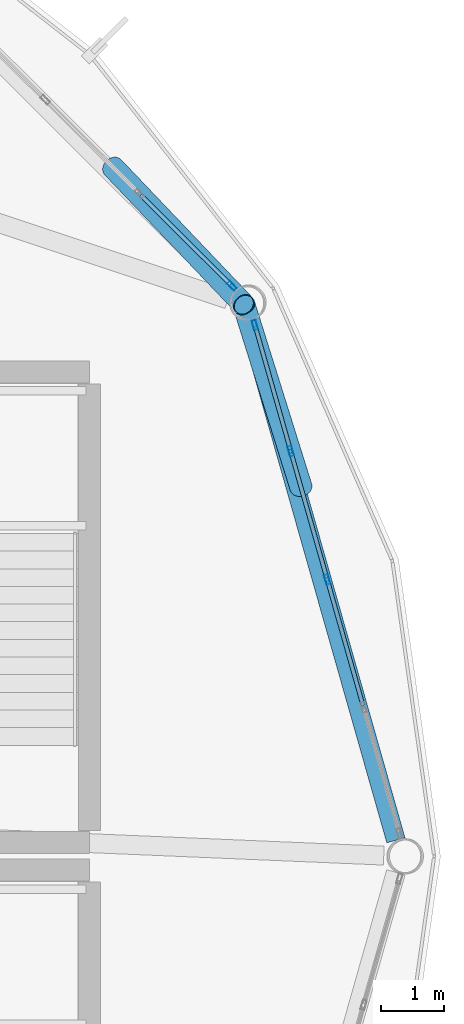
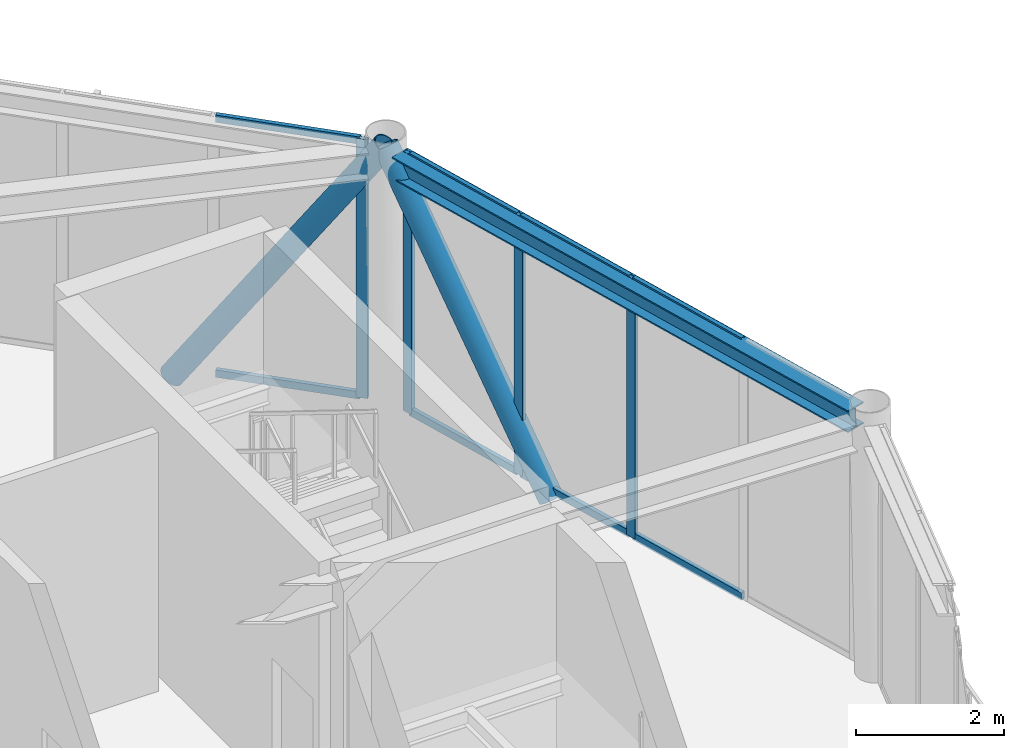
# One storey, part 16 of 26: 14 members, 1 beam, 2 elements without a shape of their own.
"""IFC4 building model written with IfcOpenShell, lengths in metres."""

from ifc_helpers import new_model, si_unit, direction, frame, origin, origin_2d, place, context, subcontext, project, spatial, hollow_rectangle, hollow_circle, i_section, extrude, material, layer, layer_set, material_profile, profile_set, type_object, element, aggregate, save


model = new_model("IFC4")

# Units and contexts
model_context = context("Model", 3, precision=1e-05, world=origin(), true_north=direction((0.0, 1.0)))
body_context = subcontext(model_context, "Body", "Model", "MODEL_VIEW")
ifc_project = project(units=[si_unit("LENGTHUNIT", "METRE"), si_unit("AREAUNIT", "SQUARE_METRE"), si_unit("VOLUMEUNIT", "CUBIC_METRE"), si_unit("PLANEANGLEUNIT", "RADIAN"), si_unit("MASSUNIT", "GRAM", prefix="KILO")], contexts=[model_context])

# Site, building, storey
site_placement = place(None, origin())
site = spatial("IfcSite", under=ifc_project, at=site_placement, CompositionType="ELEMENT")
building_placement = place(site_placement, origin())
building = spatial("IfcBuilding", under=site, at=building_placement, Name="Varnakorn Sky Granary", CompositionType="ELEMENT")
storey_placement = place(building_placement, frame((0.0, 0.0, 289.5)))
storey = spatial("IfcBuildingStorey", under=building, at=storey_placement, Name="L74", CompositionType="ELEMENT", Elevation=289.5)

# Beam
ifc_material_1 = material(Name="Steel S355JR", Category="steel")
ifc_material_profile_1 = material_profile(ifc_material_1, i_section(OverallWidth=0.300048828125, OverallDepth=0.360107421875, WebThickness=0.012451171875, FlangeThickness=0.0224609375, at=origin_2d()), Name="HE 360 B")
ifc_profile_set_1 = profile_set([ifc_material_profile_1], Name="Steel S355JR")
beam_type = type_object("IfcBeamType", Name="BM-SPD-Z5", PredefinedType="SPANDREL", material=ifc_profile_set_1)
beam_placement = place(storey_placement, frame((22.44189453125, 0.25439453125, 4.080078125), z_axis=(-0.273135599576, 0.961975542436, 0.0), x_axis=(-0.961975542436, -0.273135599576, 0.0)))
element("IfcBeam", 1, at=beam_placement, inside=storey, type_object=beam_type, Name="Perimeter Spandrel Ring Beam RB01 L74", PredefinedType="SPANDREL", context=body_context, shape_type="SweptSolid", body=[
    extrude(i_section(OverallWidth=0.300048828125, OverallDepth=0.360107421875, WebThickness=0.012451171875, FlangeThickness=0.0224609375, at=origin_2d()), origin(), (0.0, 0.0, 1.0), 8.56396484375),
])

# Curtain wall, members
ifc_material_2 = material(Name="Anodised Bronze Aluminium Alloy 6063-T6", Category="aluminium")
ifc_layer = layer(ifc_material_2, 0.159912109375, Name="Anodised Bronze Aluminium Alloy 6063-T6")
ifc_layer_set = layer_set([ifc_layer], Name="Anodised Bronze Aluminium Alloy 6063-T6")
curtain_wall_type = type_object("IfcCurtainWallType", Name="CW-OFF-1", PredefinedType="USERDEFINED", material=ifc_layer_set)
curtain_wall_1_placement = place(storey_placement, origin())
curtain_wall_1 = element("IfcCurtainWall", 2, at=curtain_wall_1_placement, inside=storey, type_object=curtain_wall_type, Name="Unitised Curtain Wall CW6 CW-L74-B01", ObjectType="CURTAIN WALL", PredefinedType="USERDEFINED")
ifc_material_profile_2 = material_profile(ifc_material_2, hollow_rectangle(XDim=0.06494140625, YDim=0.159912109375, WallThickness=0.00341796875, at=origin_2d()), Name="ALU MULL 65x160")
ifc_profile_set_2 = profile_set([ifc_material_profile_2], Name="Anodised Bronze Aluminium Alloy 6063-T6")
member_type_1 = type_object("IfcMemberType", Name="CW-OFF-1-MULL", PredefinedType="MULLION", material=ifc_profile_set_2)
member_1_placement = place(storey_placement, frame((20.206787109375, 8.424560546875, 0.0), z_axis=(0.0, 0.0, 1.0), x_axis=(0.961937230884, 0.273270495734, 0.0)))
member_1 = element("IfcMember", 3, at=member_1_placement, type_object=member_type_1, Name="CW6 mullion 1", PredefinedType="MULLION", context=body_context, shape_type="SweptSolid", body=[
    extrude(hollow_rectangle(XDim=0.06494140625, YDim=0.159912109375, WallThickness=0.00341796875, at=origin_2d()), origin(), (0.0, 0.0, 1.0), 4.260009765625),
])
member_2_placement = place(storey_placement, frame((20.775146484375, 6.423583984375, 0.0), z_axis=(0.0, 0.0, 1.0), x_axis=(0.961937230884, 0.273270495734, 0.0)))
member_2 = element("IfcMember", 4, at=member_2_placement, type_object=member_type_1, Name="CW6 mullion 2", PredefinedType="MULLION", context=body_context, shape_type="SweptSolid", body=[
    extrude(hollow_rectangle(XDim=0.06494140625, YDim=0.159912109375, WallThickness=0.00341796875, at=origin_2d()), origin(), (0.0, 0.0, 1.0), 4.260009765625),
])
member_3_placement = place(storey_placement, frame((21.3525390625, 4.391357421875, 0.0), z_axis=(0.0, 0.0, 1.0), x_axis=(0.961937230884, 0.273270495734, 0.0)))
member_3 = element("IfcMember", 5, at=member_3_placement, type_object=member_type_1, Name="CW6 mullion 3", PredefinedType="MULLION", context=body_context, shape_type="SweptSolid", body=[
    extrude(hollow_rectangle(XDim=0.06494140625, YDim=0.159912109375, WallThickness=0.00341796875, at=origin_2d()), origin(), (0.0, 0.0, 1.0), 4.260009765625),
])

# Curtain wall, member
curtain_wall_2_placement = place(storey_placement, origin())
curtain_wall_2 = element("IfcCurtainWall", 6, at=curtain_wall_2_placement, inside=storey, type_object=curtain_wall_type, Name="Unitised Curtain Wall CW6 CW-L74-B02", ObjectType="CURTAIN WALL", PredefinedType="USERDEFINED")
member_4_placement = place(storey_placement, frame((19.841552734375, 9.045166015625, 0.0), z_axis=(0.0, 0.0, 1.0), x_axis=(0.706103251086, 0.708108889088, 0.0)))
member_4 = element("IfcMember", 7, at=member_4_placement, type_object=member_type_1, Name="CW6 mullion 5", PredefinedType="MULLION", context=body_context, shape_type="SweptSolid", body=[
    extrude(hollow_rectangle(XDim=0.06494140625, YDim=0.159912109375, WallThickness=0.00341796875, at=origin_2d()), origin(), (0.0, 0.0, 1.0), 4.260009765625),
])

# Member
ifc_material_profile_3 = material_profile(ifc_material_2, hollow_rectangle(XDim=0.06494140625, YDim=0.1201171875, WallThickness=0.00341796875, at=origin_2d()), Name="ALU TRAN 65x120")
ifc_profile_set_3 = profile_set([ifc_material_profile_3], Name="Anodised Bronze Aluminium Alloy 6063-T6")
member_type_2 = type_object("IfcMemberType", Name="CW-OFF-1-TRAN", PredefinedType="USERDEFINED", material=ifc_profile_set_3)
member_5_placement = place(storey_placement, frame((20.215576171875, 8.393310546875, 0.032470703125), z_axis=(0.273312758761, -0.961925223652, 0.0), x_axis=(0.961925223652, 0.273312758761, 0.0)))
member_5 = element("IfcMember", 8, at=member_5_placement, type_object=member_type_2, Name="CW6 transom 1.1", ObjectType="TRANSOM", PredefinedType="USERDEFINED", context=body_context, shape_type="SweptSolid", body=[
    extrude(hollow_rectangle(XDim=0.06494140625, YDim=0.1201171875, WallThickness=0.00341796875, at=origin_2d()), origin(), (0.0, 0.0, 1.0), 2.01513671875),
])

member_6_placement = place(storey_placement, frame((20.215576171875, 8.393310546875, 4.2275390625), z_axis=(0.273312758761, -0.961925223652, 0.0), x_axis=(0.961925223652, 0.273312758761, 0.0)))
member_6 = element("IfcMember", 9, at=member_6_placement, type_object=member_type_2, Name="CW6 transom 1.2", ObjectType="TRANSOM", PredefinedType="USERDEFINED", context=body_context, shape_type="SweptSolid", body=[
    extrude(hollow_rectangle(XDim=0.06494140625, YDim=0.1201171875, WallThickness=0.00341796875, at=origin_2d()), origin(), (0.0, 0.0, 1.0), 2.01513671875),
])

member_7_placement = place(storey_placement, frame((20.783935546875, 6.392333984375, 0.032470703125), z_axis=(0.273272075435, -0.961936782116, 0.0), x_axis=(0.961936782116, 0.273272075435, 0.0)))
member_7 = element("IfcMember", 10, at=member_7_placement, type_object=member_type_2, Name="CW6 transom 2.1", ObjectType="TRANSOM", PredefinedType="USERDEFINED", context=body_context, shape_type="SweptSolid", body=[
    extrude(hollow_rectangle(XDim=0.06494140625, YDim=0.1201171875, WallThickness=0.00341796875, at=origin_2d()), origin(), (0.0, 0.0, 1.0), 2.047607421875),
])

member_8_placement = place(storey_placement, frame((20.783935546875, 6.392333984375, 4.2275390625), z_axis=(0.273272075435, -0.961936782116, 0.0), x_axis=(0.961936782116, 0.273272075435, 0.0)))
member_8 = element("IfcMember", 11, at=member_8_placement, type_object=member_type_2, Name="CW6 transom 2.2", ObjectType="TRANSOM", PredefinedType="USERDEFINED", context=body_context, shape_type="SweptSolid", body=[
    extrude(hollow_rectangle(XDim=0.06494140625, YDim=0.1201171875, WallThickness=0.00341796875, at=origin_2d()), origin(), (0.0, 0.0, 1.0), 2.047607421875),
])

member_9_placement = place(storey_placement, frame((21.361328125, 4.360107421875, 0.032470703125), z_axis=(0.273240737193, -0.961945684297, 0.0), x_axis=(0.961945684297, 0.273240737193, 0.0)))
member_9 = element("IfcMember", 12, at=member_9_placement, type_object=member_type_2, Name="CW6 transom 3.1", ObjectType="TRANSOM", PredefinedType="USERDEFINED", context=body_context, shape_type="SweptSolid", body=[
    extrude(hollow_rectangle(XDim=0.06494140625, YDim=0.1201171875, WallThickness=0.00341796875, at=origin_2d()), origin(), (0.0, 0.0, 1.0), 2.0478515625),
])

member_10_placement = place(storey_placement, frame((21.361328125, 4.360107421875, 4.2275390625), z_axis=(0.273240737193, -0.961945684297, 0.0), x_axis=(0.961945684297, 0.273240737193, 0.0)))
member_10 = element("IfcMember", 13, at=member_10_placement, type_object=member_type_2, Name="CW6 transom 3.2", ObjectType="TRANSOM", PredefinedType="USERDEFINED", context=body_context, shape_type="SweptSolid", body=[
    extrude(hollow_rectangle(XDim=0.06494140625, YDim=0.1201171875, WallThickness=0.00341796875, at=origin_2d()), origin(), (0.0, 0.0, 1.0), 2.0478515625),
])

aggregate(curtain_wall_1, [member_1, member_2, member_3, member_5, member_6, member_7, member_8, member_9, member_10])

member_11_placement = place(storey_placement, frame((18.39599609375, 10.48681640625, 0.032470703125), z_axis=(0.708078247137, -0.70613397874, 0.0), x_axis=(0.70613397874, 0.708078247137, 0.0)))
member_11 = element("IfcMember", 14, at=member_11_placement, type_object=member_type_2, Name="CW6 transom 4.1", ObjectType="TRANSOM", PredefinedType="USERDEFINED", context=body_context, shape_type="SweptSolid", body=[
    extrude(hollow_rectangle(XDim=0.06494140625, YDim=0.1201171875, WallThickness=0.00341796875, at=origin_2d()), origin(), (0.0, 0.0, 1.0), 2.009033203125),
])

member_12_placement = place(storey_placement, frame((18.39599609375, 10.48681640625, 4.2275390625), z_axis=(0.708078247137, -0.70613397874, 0.0), x_axis=(0.70613397874, 0.708078247137, 0.0)))
member_12 = element("IfcMember", 15, at=member_12_placement, type_object=member_type_2, Name="CW6 transom 4.2", ObjectType="TRANSOM", PredefinedType="USERDEFINED", context=body_context, shape_type="SweptSolid", body=[
    extrude(hollow_rectangle(XDim=0.06494140625, YDim=0.1201171875, WallThickness=0.00341796875, at=origin_2d()), origin(), (0.0, 0.0, 1.0), 2.009033203125),
])

aggregate(curtain_wall_2, [member_4, member_11, member_12])

# Members
ifc_material_3 = material(Name="Steel S460M", Category="steel")
ifc_material_profile_4 = material_profile(ifc_material_3, hollow_circle(Radius=0.177734375, WallThickness=0.01416015625, at=origin_2d()), Name="CHS 355.6x14")
ifc_profile_set_4 = profile_set([ifc_material_profile_4], Name="Steel S460M")
member_type_3 = type_object("IfcMemberType", Name="MB-DIAG-T5", PredefinedType="BRACE", material=ifc_profile_set_4)
member_13_placement = place(storey_placement, frame((20.936767578125, 5.85498046875, -0.1298828125), z_axis=(-0.169885490828, 0.54215073393, 0.822928612764), x_axis=(-0.954247485718, -0.299017952641, 0.0)))
element("IfcMember", 16, at=member_13_placement, inside=storey, type_object=member_type_3, Name="Perimeter CHS Diagrid Brace DG01 L74", PredefinedType="BRACE", context=body_context, shape_type="SweptSolid", body=[
    extrude(hollow_circle(Radius=0.177734375, WallThickness=0.01416015625, at=origin_2d()), origin(), (0.0, 0.0, 1.0), 5.33447265625),
])
member_14_placement = place(storey_placement, frame((17.955810546875, 10.925537109375, -0.1298828125), z_axis=(0.389852489248, -0.409349701289, 0.824892634639), x_axis=(0.724141790929, 0.689651119502, 0.0)))
element("IfcMember", 17, at=member_14_placement, inside=storey, type_object=member_type_3, Name="Perimeter CHS Diagrid Brace DG02 L74", PredefinedType="BRACE", context=body_context, shape_type="SweptSolid", body=[
    extrude(hollow_circle(Radius=0.177734375, WallThickness=0.01416015625, at=origin_2d()), origin(), (0.0, 0.0, 1.0), 5.32177734375),
])

save(model, "model.ifc")
